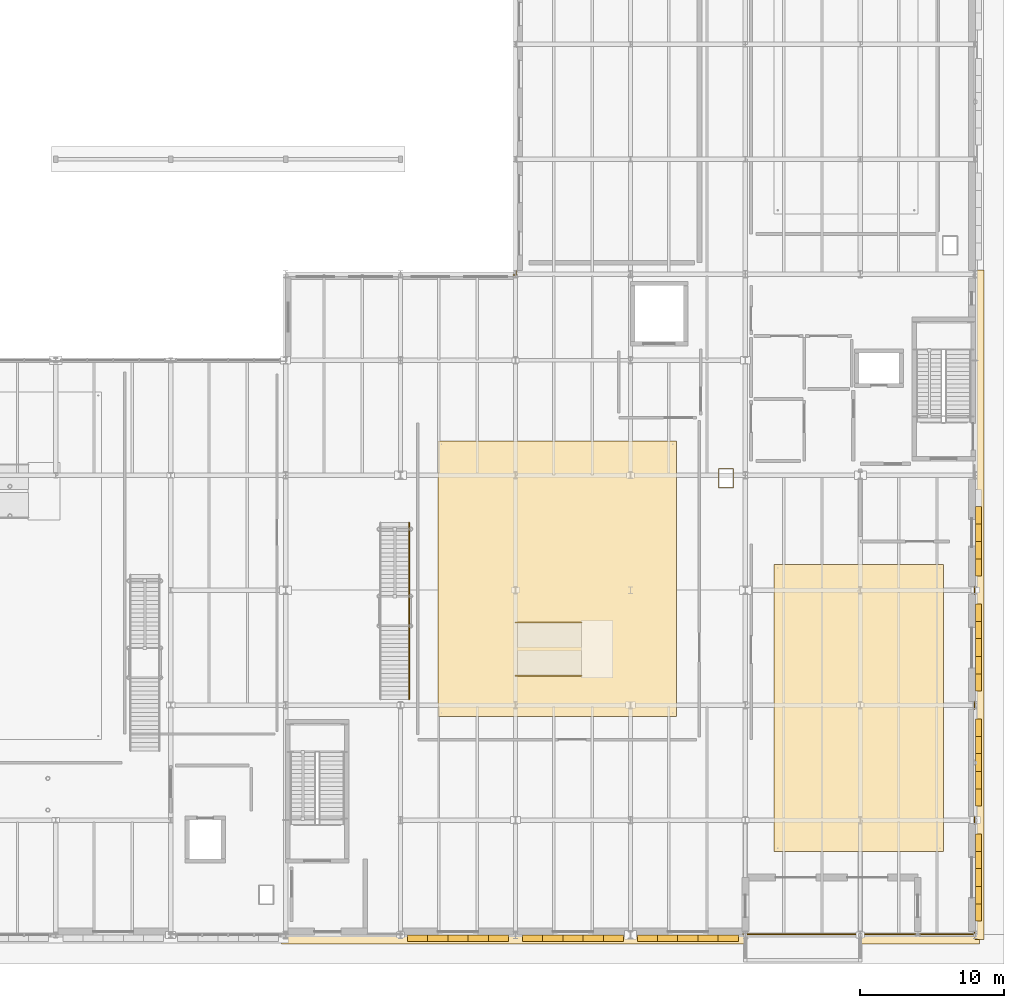
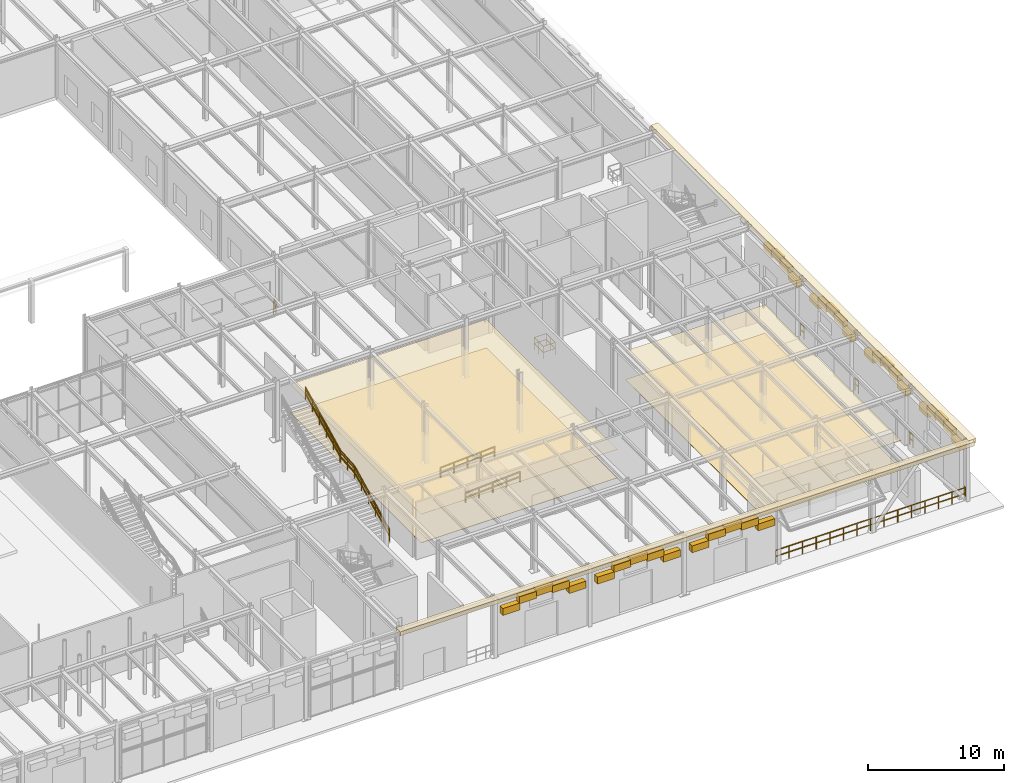
# One storey, part 122 of 129: 40 coverings, 10 railings.
"""IFC4 building model written with IfcOpenShell, lengths in metres."""

from ifc_helpers import new_model, si_unit, direction, frame, origin, origin_2d, place, context, subcontext, project, spatial, polyline, rectangle, circle, outline, extrude, material, layer, layer_set, type_object, element, save


model = new_model("IFC4")

# Units and contexts
model_context = context("Model", 3, precision=1e-05, world=origin(), true_north=direction((0.0, 1.0)))
body_context = subcontext(model_context, "Body", "Model", "MODEL_VIEW")
ifc_project = project(units=[si_unit("LENGTHUNIT", "METRE"), si_unit("AREAUNIT", "SQUARE_METRE"), si_unit("VOLUMEUNIT", "CUBIC_METRE"), si_unit("PLANEANGLEUNIT", "RADIAN"), si_unit("MASSUNIT", "GRAM", prefix="KILO")], contexts=[model_context])

# Site, building, storey
site_placement = place(None, origin())
site = spatial("IfcSite", under=ifc_project, at=site_placement, CompositionType="ELEMENT")
building_placement = place(site_placement, origin())
building = spatial("IfcBuilding", under=site, at=building_placement, Name="Sundkrona Museum", CompositionType="ELEMENT")
storey_placement = place(building_placement, origin())
storey = spatial("IfcBuildingStorey", under=building, at=storey_placement, Name="L00", CompositionType="ELEMENT", Elevation=0.0)

# Coverings
ifc_material_1 = material(Name="Perforated Acoustic Gypsum and Mineral Wool Ceiling", Category="other")
ifc_layer_1 = layer(ifc_material_1, 0.0400390625)
ifc_layer_set_1 = layer_set([ifc_layer_1], Name="Perforated Acoustic Gypsum and Mineral Wool Ceiling")
covering_type_1 = type_object("IfcCoveringType", Name="COV-CEIL-AC", PredefinedType="CEILING", material=ifc_layer_set_1)
covering_1_placement = place(storey_placement, frame((0.0, 0.0, 2.550048828125)))
element("IfcCovering", 1, at=covering_1_placement, inside=storey, type_object=covering_type_1, Name="L00 Natural History Gallery Acoustic Ceiling", PredefinedType="CEILING", context=body_context, shape_type="SweptSolid", body=[
    extrude(outline(polyline([(130.60009765625, 15.199951171875), (147.199951171875, 15.199951171875), (147.199951171875, 34.39990234375), (130.60009765625, 34.39990234375), (130.60009765625, 15.199951171875)])), origin(), (0.0, 0.0, 1.0), 0.0400390625),
])
covering_2_placement = place(storey_placement, frame((0.0, 0.0, 2.550048828125)))
element("IfcCovering", 2, at=covering_2_placement, inside=storey, type_object=covering_type_1, Name="L00 Earth Sciences Exhibition Hall Acoustic Ceiling", PredefinedType="CEILING", context=body_context, shape_type="SweptSolid", body=[
    extrude(outline(polyline([(154.0, 5.800048828125), (165.800048828125, 5.800048828125), (165.800048828125, 25.800048828125), (154.0, 25.800048828125), (154.0, 5.800048828125)])), origin(), (0.0, 0.0, 1.0), 0.0400390625),
])
ifc_material_2 = material(Name="Frost-Resistant Vitrified Stoneware Mosaic Cladding", Category="masonry")
ifc_layer_2 = layer(ifc_material_2, 0.044921875)
ifc_layer_set_2 = layer_set([ifc_layer_2], Name="Frost-Resistant Vitrified Stoneware Mosaic Cladding")
covering_type_2 = type_object("IfcCoveringType", Name="COV-CLD-MOS", PredefinedType="CLADDING", material=ifc_layer_set_2)
for number, where, z_axis, x_axis, name in (
    (3, (129.199951171875, -0.219970703125, 3.75390625), (0.0, 0.0, 1.0), (1.0, 0.0, 0.0), "Catalan Modernisme Parabolic Arch Voussoir SA-026"),
    (4, (130.60009765625, -0.219970703125, 4.305908203125), (0.0, 0.0, 1.0), (1.0, 0.0, 0.0), "Catalan Modernisme Parabolic Arch Voussoir SA-027"),
    (5, (132.0, -0.219970703125, 4.489990234375), (0.0, 0.0, 1.0), (1.0, 0.0, 0.0), "Catalan Modernisme Parabolic Arch Voussoir SA-028"),
    (6, (133.39990234375, -0.219970703125, 4.305908203125), (0.0, 0.0, 1.0), (1.0, 0.0, 0.0), "Catalan Modernisme Parabolic Arch Voussoir SA-029"),
    (7, (134.800048828125, -0.219970703125, 3.75390625), (0.0, 0.0, 1.0), (1.0, 0.0, 0.0), "Catalan Modernisme Parabolic Arch Voussoir SA-030"),
    (8, (137.199951171875, -0.219970703125, 3.75390625), (0.0, 0.0, 1.0), (1.0, 0.0, 0.0), "Catalan Modernisme Parabolic Arch Voussoir SA-031"),
    (9, (138.60009765625, -0.219970703125, 4.305908203125), (0.0, 0.0, 1.0), (1.0, 0.0, 0.0), "Catalan Modernisme Parabolic Arch Voussoir SA-032"),
    (10, (140.0, -0.219970703125, 4.489990234375), (0.0, 0.0, 1.0), (1.0, 0.0, 0.0), "Catalan Modernisme Parabolic Arch Voussoir SA-033"),
    (11, (141.39990234375, -0.219970703125, 4.305908203125), (0.0, 0.0, 1.0), (1.0, 0.0, 0.0), "Catalan Modernisme Parabolic Arch Voussoir SA-034"),
    (12, (142.800048828125, -0.219970703125, 3.75390625), (0.0, 0.0, 1.0), (1.0, 0.0, 0.0), "Catalan Modernisme Parabolic Arch Voussoir SA-035"),
    (13, (145.199951171875, -0.219970703125, 3.75390625), (0.0, 0.0, 1.0), (1.0, 0.0, 0.0), "Catalan Modernisme Parabolic Arch Voussoir SA-036"),
    (14, (146.60009765625, -0.219970703125, 4.305908203125), (0.0, 0.0, 1.0), (1.0, 0.0, 0.0), "Catalan Modernisme Parabolic Arch Voussoir SA-037"),
    (15, (148.0, -0.219970703125, 4.489990234375), (0.0, 0.0, 1.0), (1.0, 0.0, 0.0), "Catalan Modernisme Parabolic Arch Voussoir SA-038"),
    (16, (149.39990234375, -0.219970703125, 4.305908203125), (0.0, 0.0, 1.0), (1.0, 0.0, 0.0), "Catalan Modernisme Parabolic Arch Voussoir SA-039"),
    (17, (150.800048828125, -0.219970703125, 3.75390625), (0.0, 0.0, 1.0), (1.0, 0.0, 0.0), "Catalan Modernisme Parabolic Arch Voussoir SA-040"),
):
    element("IfcCovering", number, at=place(storey_placement, frame(where, z_axis=z_axis, x_axis=x_axis)), inside=storey, type_object=covering_type_2, Name=name, PredefinedType="CLADDING", context=body_context, shape_type="SweptSolid", body=[
        extrude(rectangle(XDim=1.419921875, YDim=0.4599609375, at=origin_2d()), origin(), (0.0, 0.0, 1.0), 0.6201171875),
    ])
covering_3_placement = place(storey_placement, frame((144.0, -0.300048828125, 5.10009765625), z_axis=(0.0, 0.0, 1.0), x_axis=(1.0, 0.0, 0.0)))
element("IfcCovering", 18, at=covering_3_placement, inside=storey, type_object=covering_type_2, Name="Classical Corbelled Terracotta Cornice (CRN-V1-S)", PredefinedType="CLADDING", context=body_context, shape_type="SweptSolid", body=[
    extrude(rectangle(XDim=48.60009765625, YDim=0.639892578125, at=origin_2d()), origin(), (0.0, 0.0, 1.0), 0.360107421875),
])
covering_4_placement = place(storey_placement, frame((168.300048828125, 23.0, 5.10009765625), z_axis=(0.0, 0.0, 1.0), x_axis=(1.0, 0.0, 0.0)))
element("IfcCovering", 19, at=covering_4_placement, inside=storey, type_object=covering_type_2, Name="Classical Corbelled Terracotta Cornice (CRN-V1-E)", PredefinedType="CLADDING", context=body_context, shape_type="SweptSolid", body=[
    extrude(rectangle(XDim=0.639892578125, YDim=46.60009765625, at=origin_2d()), origin(), (0.0, 0.0, 1.0), 0.360107421875),
])
for number, where, z_axis, x_axis, name in (
    (20, (168.219970703125, 1.60009765625, 3.8310546875), (0.0, 0.0, 1.0), (1.0, 0.0, 0.0), "Catalan Modernisme East Avenue Arch Voussoir 101"),
    (21, (168.219970703125, 2.800048828125, 4.295166015625), (0.0, 0.0, 1.0), (1.0, 0.0, 0.0), "Catalan Modernisme East Avenue Arch Voussoir 102"),
    (22, (168.219970703125, 4.0, 4.449951171875), (0.0, 0.0, 1.0), (1.0, 0.0, 0.0), "Catalan Modernisme East Avenue Arch Voussoir 103"),
    (23, (168.219970703125, 5.199951171875, 4.295166015625), (0.0, 0.0, 1.0), (1.0, 0.0, 0.0), "Catalan Modernisme East Avenue Arch Voussoir 104"),
    (24, (168.219970703125, 6.39990234375, 3.8310546875), (0.0, 0.0, 1.0), (1.0, 0.0, 0.0), "Catalan Modernisme East Avenue Arch Voussoir 105"),
    (25, (168.219970703125, 9.60009765625, 3.8310546875), (0.0, 0.0, 1.0), (1.0, 0.0, 0.0), "Catalan Modernisme East Avenue Arch Voussoir 106"),
    (26, (168.219970703125, 10.800048828125, 4.295166015625), (0.0, 0.0, 1.0), (1.0, 0.0, 0.0), "Catalan Modernisme East Avenue Arch Voussoir 107"),
    (27, (168.219970703125, 12.0, 4.449951171875), (0.0, 0.0, 1.0), (1.0, 0.0, 0.0), "Catalan Modernisme East Avenue Arch Voussoir 108"),
    (28, (168.219970703125, 13.199951171875, 4.295166015625), (0.0, 0.0, 1.0), (1.0, 0.0, 0.0), "Catalan Modernisme East Avenue Arch Voussoir 109"),
    (29, (168.219970703125, 14.39990234375, 3.8310546875), (0.0, 0.0, 1.0), (1.0, 0.0, 0.0), "Catalan Modernisme East Avenue Arch Voussoir 110"),
    (30, (168.219970703125, 17.60009765625, 3.8310546875), (0.0, 0.0, 1.0), (1.0, 0.0, 0.0), "Catalan Modernisme East Avenue Arch Voussoir 111"),
    (31, (168.219970703125, 18.800048828125, 4.295166015625), (0.0, 0.0, 1.0), (1.0, 0.0, 0.0), "Catalan Modernisme East Avenue Arch Voussoir 112"),
    (32, (168.219970703125, 20.0, 4.449951171875), (0.0, 0.0, 1.0), (1.0, 0.0, 0.0), "Catalan Modernisme East Avenue Arch Voussoir 113"),
    (33, (168.219970703125, 21.199951171875, 4.295166015625), (0.0, 0.0, 1.0), (1.0, 0.0, 0.0), "Catalan Modernisme East Avenue Arch Voussoir 114"),
    (34, (168.219970703125, 22.39990234375, 3.8310546875), (0.0, 0.0, 1.0), (1.0, 0.0, 0.0), "Catalan Modernisme East Avenue Arch Voussoir 115"),
    (35, (168.219970703125, 25.60009765625, 3.8310546875), (0.0, 0.0, 1.0), (1.0, 0.0, 0.0), "Catalan Modernisme East Avenue Arch Voussoir 116"),
    (36, (168.219970703125, 26.800048828125, 4.295166015625), (0.0, 0.0, 1.0), (1.0, 0.0, 0.0), "Catalan Modernisme East Avenue Arch Voussoir 117"),
    (37, (168.219970703125, 28.0, 4.449951171875), (0.0, 0.0, 1.0), (1.0, 0.0, 0.0), "Catalan Modernisme East Avenue Arch Voussoir 118"),
    (38, (168.219970703125, 29.199951171875, 4.295166015625), (0.0, 0.0, 1.0), (1.0, 0.0, 0.0), "Catalan Modernisme East Avenue Arch Voussoir 119"),
):
    element("IfcCovering", number, at=place(storey_placement, frame(where, z_axis=z_axis, x_axis=x_axis)), inside=storey, type_object=covering_type_2, Name=name, PredefinedType="CLADDING", context=body_context, shape_type="SweptSolid", body=[
        extrude(rectangle(XDim=0.43994140625, YDim=1.25, at=origin_2d()), origin(), (0.0, 0.0, 1.0), 0.60009765625),
    ])
ifc_material_3 = material(Name="Polished Scanian Limestone Terrazzo Flooring", Category="masonry")
ifc_layer_3 = layer(ifc_material_3, 0.034912109375)
ifc_layer_set_3 = layer_set([ifc_layer_3], Name="Polished Scanian Limestone Terrazzo Flooring")
covering_type_3 = type_object("IfcCoveringType", Name="COV-FLR-TZ", PredefinedType="FLOORING", material=ifc_layer_set_3)
covering_5_placement = place(storey_placement, origin())
element("IfcCovering", 39, at=covering_5_placement, inside=storey, type_object=covering_type_3, Name="L00 Natural History Gallery Terrazzo Flooring", PredefinedType="FLOORING", context=body_context, shape_type="SweptSolid", body=[
    extrude(outline(polyline([(130.60009765625, 15.199951171875), (147.199951171875, 15.199951171875), (147.199951171875, 34.39990234375), (130.60009765625, 34.39990234375), (130.60009765625, 15.199951171875)])), origin(), (0.0, 0.0, 1.0), 0.034912109375),
])
covering_6_placement = place(storey_placement, origin())
element("IfcCovering", 40, at=covering_6_placement, inside=storey, type_object=covering_type_3, Name="L00 Earth Sciences Exhibition Hall Terrazzo Flooring", PredefinedType="FLOORING", context=body_context, shape_type="SweptSolid", body=[
    extrude(outline(polyline([(154.0, 5.800048828125), (165.800048828125, 5.800048828125), (165.800048828125, 25.800048828125), (154.0, 25.800048828125), (154.0, 5.800048828125)])), origin(), (0.0, 0.0, 1.0), 0.034912109375),
])

# Railings
ifc_material_4 = material(Name="Painted Steel S355J2 and Laminated Glass Balustrade", Category="steel")
railing_type_1 = type_object("IfcRailingType", Name="RL-GUARD-1100", PredefinedType="BALUSTRADE", material=ifc_material_4)
railing_1_placement = place(storey_placement, frame((128.60009765625, 16.39990234375, 0.14990234375)))
element("IfcRailing", 41, at=railing_1_placement, inside=storey, type_object=railing_type_1, Name="FS-5 Feature Stair Balustrade R", PredefinedType="BALUSTRADE", context=body_context, shape_type="SweptSolid", body=[
    extrude(circle(Radius=0.02392578125, at=origin_2d()), frame((0.0, 0.0, 1.09619140625), z_axis=(0.0, 0.894427191, 0.4472135955), x_axis=(-1.0, 0.0, 0.0)), (0.0, 0.0, 1.0), 5.7021484375),
    extrude(circle(Radius=0.02392578125, at=origin_2d()), frame((0.0, 0.0, 0.56005859375), z_axis=(0.0, 0.894427191, 0.4472135955), x_axis=(-1.0, 0.0, 0.0)), (0.0, 0.0, 1.0), 5.7021484375),
    extrude(circle(Radius=0.02392578125, at=origin_2d()), frame((0.0, 5.10009765625, 3.64599609375), z_axis=(0.0, 0.997453988777, 0.071312974087), x_axis=(-1.0, 0.0, 0.0)), (0.0, 0.0, 1.0), 2.10546875),
    extrude(circle(Radius=0.02392578125, at=origin_2d()), frame((0.0, 5.10009765625, 3.110107421875), z_axis=(0.0, 0.997453988777, 0.071312974087), x_axis=(-1.0, 0.0, 0.0)), (0.0, 0.0, 1.0), 2.10546875),
    extrude(circle(Radius=0.02392578125, at=origin_2d()), frame((0.0, 7.2001953125, 3.79638671875), z_axis=(0.0, 0.894435754537, 0.447196468016), x_axis=(-1.0, 0.0, 0.0)), (0.0, 0.0, 1.0), 5.70166015625),
    extrude(circle(Radius=0.02392578125, at=origin_2d()), frame((0.0, 7.2001953125, 3.26025390625), z_axis=(0.0, 0.894435754537, 0.447196468016), x_axis=(-1.0, 0.0, 0.0)), (0.0, 0.0, 1.0), 5.70166015625),
    extrude(circle(Radius=0.02099609375, at=origin_2d()), origin(), (0.0, 0.0, 1.0), 1.072021484375),
    extrude(circle(Radius=0.02099609375, at=origin_2d()), frame((0.0, 1.02001953125, 0.510009765625)), (0.0, 0.0, 1.0), 1.072021484375),
    extrude(circle(Radius=0.02099609375, at=origin_2d()), frame((0.0, 2.0400390625, 1.02001953125)), (0.0, 0.0, 1.0), 1.072021484375),
    extrude(circle(Radius=0.02099609375, at=origin_2d()), frame((0.0, 3.06005859375, 1.530029296875)), (0.0, 0.0, 1.0), 1.072021484375),
    extrude(circle(Radius=0.02099609375, at=origin_2d()), frame((0.0, 4.080078125, 2.0400390625)), (0.0, 0.0, 1.0), 1.072021484375),
    extrude(circle(Radius=0.02099609375, at=origin_2d()), frame((0.0, 5.10009765625, 2.550048828125)), (0.0, 0.0, 1.0), 1.072021484375),
    extrude(circle(Radius=0.02099609375, at=origin_2d()), frame((0.0, 6.150146484375, 2.625)), (0.0, 0.0, 1.0), 1.072021484375),
    extrude(circle(Radius=0.02099609375, at=origin_2d()), frame((0.0, 7.2001953125, 2.7001953125)), (0.0, 0.0, 1.0), 1.072021484375),
    extrude(circle(Radius=0.02099609375, at=origin_2d()), frame((0.0, 8.22021484375, 3.210205078125)), (0.0, 0.0, 1.0), 1.072021484375),
    extrude(circle(Radius=0.02099609375, at=origin_2d()), frame((0.0, 9.240234375, 3.72021484375)), (0.0, 0.0, 1.0), 1.072021484375),
    extrude(circle(Radius=0.02099609375, at=origin_2d()), frame((0.0, 10.260009765625, 4.22998046875)), (0.0, 0.0, 1.0), 1.072021484375),
    extrude(circle(Radius=0.02099609375, at=origin_2d()), frame((0.0, 11.280029296875, 4.739990234375)), (0.0, 0.0, 1.0), 1.072021484375),
    extrude(circle(Radius=0.02099609375, at=origin_2d()), frame((0.0, 12.300048828125, 5.25)), (0.0, 0.0, 1.0), 1.072021484375),
])
railing_2_placement = place(storey_placement, frame((135.847900390625, 45.93994140625, 0.0)))
element("IfcRailing", 42, at=railing_2_placement, inside=storey, type_object=railing_type_1, Name="L00 Edge Protection Balustrade 031", PredefinedType="BALUSTRADE", context=body_context, shape_type="SweptSolid", body=[
    extrude(circle(Radius=0.02392578125, at=origin_2d()), frame((0.0, 0.0, 1.09619140625), z_axis=(1.0, 0.0, 0.0), x_axis=(0.0, 1.0, 0.0)), (0.0, 0.0, 1.0), 0.212158203125),
    extrude(circle(Radius=0.02392578125, at=origin_2d()), frame((0.0, 0.0, 0.56005859375), z_axis=(1.0, 0.0, 0.0), x_axis=(0.0, 1.0, 0.0)), (0.0, 0.0, 1.0), 0.212158203125),
    extrude(circle(Radius=0.02392578125, at=origin_2d()), frame((0.212158203125, 0.0, 1.09619140625), z_axis=(0.0, 1.0, 0.0), x_axis=(-1.0, 0.0, 0.0)), (0.0, 0.0, 1.0), 0.31201171875),
    extrude(circle(Radius=0.02392578125, at=origin_2d()), frame((0.212158203125, 0.0, 0.56005859375), z_axis=(0.0, 1.0, 0.0), x_axis=(-1.0, 0.0, 0.0)), (0.0, 0.0, 1.0), 0.31201171875),
    extrude(circle(Radius=0.02099609375, at=origin_2d()), origin(), (0.0, 0.0, 1.0), 1.072021484375),
    extrude(circle(Radius=0.02099609375, at=origin_2d()), frame((0.212158203125, 0.0, 0.0)), (0.0, 0.0, 1.0), 1.072021484375),
    extrude(circle(Radius=0.02099609375, at=origin_2d()), frame((0.212158203125, 0.31201171875, 0.0)), (0.0, 0.0, 1.0), 1.072021484375),
])
railing_3_placement = place(storey_placement, frame((150.139892578125, 31.139892578125, 0.0)))
element("IfcRailing", 43, at=railing_3_placement, inside=storey, type_object=railing_type_1, Name="L00 Edge Protection Balustrade 039", PredefinedType="BALUSTRADE", context=body_context, shape_type="SweptSolid", body=[
    extrude(circle(Radius=0.02392578125, at=origin_2d()), frame((0.0, 0.0, 1.09619140625), z_axis=(1.0, 0.0, 0.0), x_axis=(0.0, 1.0, 0.0)), (0.0, 0.0, 1.0), 1.02001953125),
    extrude(circle(Radius=0.02392578125, at=origin_2d()), frame((0.0, 0.0, 0.56005859375), z_axis=(1.0, 0.0, 0.0), x_axis=(0.0, 1.0, 0.0)), (0.0, 0.0, 1.0), 1.02001953125),
    extrude(circle(Radius=0.02392578125, at=origin_2d()), frame((1.02001953125, 0.0, 1.09619140625), z_axis=(0.0, 1.0, 0.0), x_axis=(-1.0, 0.0, 0.0)), (0.0, 0.0, 1.0), 1.320068359375),
    extrude(circle(Radius=0.02392578125, at=origin_2d()), frame((1.02001953125, 0.0, 0.56005859375), z_axis=(0.0, 1.0, 0.0), x_axis=(-1.0, 0.0, 0.0)), (0.0, 0.0, 1.0), 1.320068359375),
    extrude(circle(Radius=0.02392578125, at=origin_2d()), frame((1.02001953125, 1.320068359375, 1.09619140625), z_axis=(-1.0, 0.0, 0.0), x_axis=(0.0, -1.0, 0.0)), (0.0, 0.0, 1.0), 1.02001953125),
    extrude(circle(Radius=0.02392578125, at=origin_2d()), frame((1.02001953125, 1.320068359375, 0.56005859375), z_axis=(-1.0, 0.0, 0.0), x_axis=(0.0, -1.0, 0.0)), (0.0, 0.0, 1.0), 1.02001953125),
    extrude(circle(Radius=0.02392578125, at=origin_2d()), frame((0.0, 1.320068359375, 1.09619140625), z_axis=(0.0, -1.0, 0.0), x_axis=(1.0, 0.0, 0.0)), (0.0, 0.0, 1.0), 1.320068359375),
    extrude(circle(Radius=0.02392578125, at=origin_2d()), frame((0.0, 1.320068359375, 0.56005859375), z_axis=(0.0, -1.0, 0.0), x_axis=(1.0, 0.0, 0.0)), (0.0, 0.0, 1.0), 1.320068359375),
    extrude(circle(Radius=0.02099609375, at=origin_2d()), origin(), (0.0, 0.0, 1.0), 1.072021484375),
    extrude(circle(Radius=0.02099609375, at=origin_2d()), frame((1.02001953125, 0.0, 0.0)), (0.0, 0.0, 1.0), 1.072021484375),
    extrude(circle(Radius=0.02099609375, at=origin_2d()), frame((1.02001953125, 0.66015625, 0.0)), (0.0, 0.0, 1.0), 1.072021484375),
    extrude(circle(Radius=0.02099609375, at=origin_2d()), frame((1.02001953125, 1.320068359375, 0.0)), (0.0, 0.0, 1.0), 1.072021484375),
    extrude(circle(Radius=0.02099609375, at=origin_2d()), frame((0.0, 1.320068359375, 0.0)), (0.0, 0.0, 1.0), 1.072021484375),
    extrude(circle(Radius=0.02099609375, at=origin_2d()), frame((0.0, 0.66015625, 0.0)), (0.0, 0.0, 1.0), 1.072021484375),
])
railing_4_placement = place(storey_placement, frame((167.93994140625, 0.251953125, 0.0)))
element("IfcRailing", 44, at=railing_4_placement, inside=storey, type_object=railing_type_1, Name="L00 Edge Protection Balustrade 040", PredefinedType="BALUSTRADE", context=body_context, shape_type="SweptSolid", body=[
    extrude(circle(Radius=0.02392578125, at=origin_2d()), frame((0.0, 0.0, 1.09619140625), z_axis=(0.0, -1.0, 0.0), x_axis=(1.0, 0.0, 0.0)), (0.0, 0.0, 1.0), 0.19189453125),
    extrude(circle(Radius=0.02392578125, at=origin_2d()), frame((0.0, 0.0, 0.56005859375), z_axis=(0.0, -1.0, 0.0), x_axis=(1.0, 0.0, 0.0)), (0.0, 0.0, 1.0), 0.19189453125),
    extrude(circle(Radius=0.02392578125, at=origin_2d()), frame((0.0, -0.19189453125, 1.09619140625), z_axis=(-1.0, 0.0, 0.0), x_axis=(0.0, -1.0, 0.0)), (0.0, 0.0, 1.0), 16.092041015625),
    extrude(circle(Radius=0.02392578125, at=origin_2d()), frame((0.0, -0.19189453125, 0.56005859375), z_axis=(-1.0, 0.0, 0.0), x_axis=(0.0, -1.0, 0.0)), (0.0, 0.0, 1.0), 16.092041015625),
    extrude(circle(Radius=0.02099609375, at=origin_2d()), origin(), (0.0, 0.0, 1.0), 1.072021484375),
    extrude(circle(Radius=0.02099609375, at=origin_2d()), frame((0.0, -0.19189453125, 0.0)), (0.0, 0.0, 1.0), 1.072021484375),
    extrude(circle(Radius=0.02099609375, at=origin_2d()), frame((-1.1494140625, -0.19189453125, 0.0)), (0.0, 0.0, 1.0), 1.072021484375),
    extrude(circle(Radius=0.02099609375, at=origin_2d()), frame((-2.298828125, -0.19189453125, 0.0)), (0.0, 0.0, 1.0), 1.072021484375),
    extrude(circle(Radius=0.02099609375, at=origin_2d()), frame((-3.4482421875, -0.19189453125, 0.0)), (0.0, 0.0, 1.0), 1.072021484375),
    extrude(circle(Radius=0.02099609375, at=origin_2d()), frame((-4.59765625, -0.19189453125, 0.0)), (0.0, 0.0, 1.0), 1.072021484375),
    extrude(circle(Radius=0.02099609375, at=origin_2d()), frame((-5.7470703125, -0.19189453125, 0.0)), (0.0, 0.0, 1.0), 1.072021484375),
    extrude(circle(Radius=0.02099609375, at=origin_2d()), frame((-6.896484375, -0.19189453125, 0.0)), (0.0, 0.0, 1.0), 1.072021484375),
    extrude(circle(Radius=0.02099609375, at=origin_2d()), frame((-8.0458984375, -0.19189453125, 0.0)), (0.0, 0.0, 1.0), 1.072021484375),
    extrude(circle(Radius=0.02099609375, at=origin_2d()), frame((-9.195556640625, -0.19189453125, 0.0)), (0.0, 0.0, 1.0), 1.072021484375),
    extrude(circle(Radius=0.02099609375, at=origin_2d()), frame((-10.344970703125, -0.19189453125, 0.0)), (0.0, 0.0, 1.0), 1.072021484375),
    extrude(circle(Radius=0.02099609375, at=origin_2d()), frame((-11.494384765625, -0.19189453125, 0.0)), (0.0, 0.0, 1.0), 1.072021484375),
    extrude(circle(Radius=0.02099609375, at=origin_2d()), frame((-12.643798828125, -0.19189453125, 0.0)), (0.0, 0.0, 1.0), 1.072021484375),
    extrude(circle(Radius=0.02099609375, at=origin_2d()), frame((-13.793212890625, -0.19189453125, 0.0)), (0.0, 0.0, 1.0), 1.072021484375),
    extrude(circle(Radius=0.02099609375, at=origin_2d()), frame((-14.942626953125, -0.19189453125, 0.0)), (0.0, 0.0, 1.0), 1.072021484375),
    extrude(circle(Radius=0.02099609375, at=origin_2d()), frame((-16.092041015625, -0.19189453125, 0.0)), (0.0, 0.0, 1.0), 1.072021484375),
])
for number, where, name in (
    (45, (167.93994140625, 8.251953125, 0.0), "L00 Edge Protection Balustrade 044"),
    (46, (167.93994140625, 16.251953125, 0.0), "L00 Edge Protection Balustrade 045"),
    (47, (167.93994140625, 24.251953125, 0.0), "L00 Edge Protection Balustrade 046"),
):
    element("IfcRailing", number, at=place(storey_placement, frame(where)), inside=storey, type_object=railing_type_1, Name=name, PredefinedType="BALUSTRADE", context=body_context, shape_type="SweptSolid", body=[
        extrude(circle(Radius=0.02392578125, at=origin_2d()), frame((0.0, 0.0, 1.09619140625), z_axis=(0.0, -1.0, 0.0), x_axis=(1.0, 0.0, 0.0)), (0.0, 0.0, 1.0), 0.50390625),
        extrude(circle(Radius=0.02392578125, at=origin_2d()), frame((0.0, 0.0, 0.56005859375), z_axis=(0.0, -1.0, 0.0), x_axis=(1.0, 0.0, 0.0)), (0.0, 0.0, 1.0), 0.50390625),
        extrude(circle(Radius=0.02099609375, at=origin_2d()), origin(), (0.0, 0.0, 1.0), 1.072021484375),
        extrude(circle(Radius=0.02099609375, at=origin_2d()), frame((0.0, -0.50390625, 0.0)), (0.0, 0.0, 1.0), 1.072021484375),
    ])
ifc_material_5 = material(Name="Brushed Bronze-Clad Steel Handrail", Category="steel")
railing_type_2 = type_object("IfcRailingType", Name="RL-HAND-900", PredefinedType="HANDRAIL", material=ifc_material_5)
railing_5_placement = place(storey_placement, frame((128.60009765625, 16.39990234375, 0.14990234375)))
element("IfcRailing", 48, at=railing_5_placement, inside=storey, type_object=railing_type_2, Name="FS-5 Feature Stair Handrail R", PredefinedType="HANDRAIL", context=body_context, shape_type="SweptSolid", body=[
    extrude(circle(Radius=0.02392578125, at=origin_2d()), frame((0.0, 0.0, 0.8759765625), z_axis=(0.0, 0.894427191, 0.4472135955), x_axis=(-1.0, 0.0, 0.0)), (0.0, 0.0, 1.0), 5.7021484375),
    extrude(circle(Radius=0.02392578125, at=origin_2d()), frame((0.0, 0.0, 0.449951171875), z_axis=(0.0, 0.894427191, 0.4472135955), x_axis=(-1.0, 0.0, 0.0)), (0.0, 0.0, 1.0), 5.7021484375),
    extrude(circle(Radius=0.02392578125, at=origin_2d()), frame((0.0, 5.10009765625, 3.42578125), z_axis=(0.0, 0.997453988777, 0.071312974087), x_axis=(-1.0, 0.0, 0.0)), (0.0, 0.0, 1.0), 2.10546875),
    extrude(circle(Radius=0.02392578125, at=origin_2d()), frame((0.0, 5.10009765625, 3.0), z_axis=(0.0, 0.997453988777, 0.071312974087), x_axis=(-1.0, 0.0, 0.0)), (0.0, 0.0, 1.0), 2.10546875),
    extrude(circle(Radius=0.02392578125, at=origin_2d()), frame((0.0, 7.2001953125, 3.576171875), z_axis=(0.0, 0.894435754537, 0.447196468016), x_axis=(-1.0, 0.0, 0.0)), (0.0, 0.0, 1.0), 5.70166015625),
    extrude(circle(Radius=0.02392578125, at=origin_2d()), frame((0.0, 7.2001953125, 3.150146484375), z_axis=(0.0, 0.894435754537, 0.447196468016), x_axis=(-1.0, 0.0, 0.0)), (0.0, 0.0, 1.0), 5.70166015625),
    extrude(circle(Radius=0.02099609375, at=origin_2d()), origin(), (0.0, 0.0, 1.0), 0.851806640625),
    extrude(circle(Radius=0.02099609375, at=origin_2d()), frame((0.0, 1.02001953125, 0.510009765625)), (0.0, 0.0, 1.0), 0.851806640625),
    extrude(circle(Radius=0.02099609375, at=origin_2d()), frame((0.0, 2.0400390625, 1.02001953125)), (0.0, 0.0, 1.0), 0.851806640625),
    extrude(circle(Radius=0.02099609375, at=origin_2d()), frame((0.0, 3.06005859375, 1.530029296875)), (0.0, 0.0, 1.0), 0.851806640625),
    extrude(circle(Radius=0.02099609375, at=origin_2d()), frame((0.0, 4.080078125, 2.0400390625)), (0.0, 0.0, 1.0), 0.851806640625),
    extrude(circle(Radius=0.02099609375, at=origin_2d()), frame((0.0, 5.10009765625, 2.550048828125)), (0.0, 0.0, 1.0), 0.851806640625),
    extrude(circle(Radius=0.02099609375, at=origin_2d()), frame((0.0, 6.150146484375, 2.625)), (0.0, 0.0, 1.0), 0.851806640625),
    extrude(circle(Radius=0.02099609375, at=origin_2d()), frame((0.0, 7.2001953125, 2.7001953125)), (0.0, 0.0, 1.0), 0.851806640625),
    extrude(circle(Radius=0.02099609375, at=origin_2d()), frame((0.0, 8.22021484375, 3.210205078125)), (0.0, 0.0, 1.0), 0.851806640625),
    extrude(circle(Radius=0.02099609375, at=origin_2d()), frame((0.0, 9.240234375, 3.72021484375)), (0.0, 0.0, 1.0), 0.851806640625),
    extrude(circle(Radius=0.02099609375, at=origin_2d()), frame((0.0, 10.260009765625, 4.22998046875)), (0.0, 0.0, 1.0), 0.851806640625),
    extrude(circle(Radius=0.02099609375, at=origin_2d()), frame((0.0, 11.280029296875, 4.739990234375)), (0.0, 0.0, 1.0), 0.851806640625),
    extrude(circle(Radius=0.02099609375, at=origin_2d()), frame((0.0, 12.300048828125, 5.25)), (0.0, 0.0, 1.0), 0.851806640625),
])
railing_6_placement = place(storey_placement, frame((136.0, 18.050048828125, 0.0)))
element("IfcRailing", 49, at=railing_6_placement, inside=storey, type_object=railing_type_2, Name="RMP-02 Handrail South", PredefinedType="HANDRAIL", context=body_context, shape_type="SweptSolid", body=[
    extrude(circle(Radius=0.02392578125, at=origin_2d()), frame((0.0, 0.0, 0.8759765625), z_axis=(0.998152272785, 0.0, 0.060762162025), x_axis=(0.0, 1.0, 0.0)), (0.0, 0.0, 1.0), 4.608642578125),
    extrude(circle(Radius=0.02392578125, at=origin_2d()), frame((0.0, 0.0, 0.449951171875), z_axis=(0.998152272785, 0.0, 0.060762162025), x_axis=(0.0, 1.0, 0.0)), (0.0, 0.0, 1.0), 4.608642578125),
    extrude(circle(Radius=0.02099609375, at=origin_2d()), origin(), (0.0, 0.0, 1.0), 0.851806640625),
    extrude(circle(Radius=0.02099609375, at=origin_2d()), frame((1.14990234375, 0.0, 0.070068359375)), (0.0, 0.0, 1.0), 0.851806640625),
    extrude(circle(Radius=0.02099609375, at=origin_2d()), frame((2.300048828125, 0.0, 0.14013671875)), (0.0, 0.0, 1.0), 0.851806640625),
    extrude(circle(Radius=0.02099609375, at=origin_2d()), frame((3.4501953125, 0.0, 0.2099609375)), (0.0, 0.0, 1.0), 0.851806640625),
    extrude(circle(Radius=0.02099609375, at=origin_2d()), frame((4.60009765625, 0.0, 0.280029296875)), (0.0, 0.0, 1.0), 0.851806640625),
])
railing_7_placement = place(storey_placement, frame((140.60009765625, 21.75, 0.280029296875)))
element("IfcRailing", 50, at=railing_7_placement, inside=storey, type_object=railing_type_2, Name="RMP-02 Handrail North", PredefinedType="HANDRAIL", context=body_context, shape_type="SweptSolid", body=[
    extrude(circle(Radius=0.02392578125, at=origin_2d()), frame((0.0, 0.0, 0.8759765625), z_axis=(-0.998152272785, 0.0, -0.060762162025), x_axis=(0.0, -1.0, 0.0)), (0.0, 0.0, 1.0), 4.608642578125),
    extrude(circle(Radius=0.02392578125, at=origin_2d()), frame((0.0, 0.0, 0.449951171875), z_axis=(-0.998152272785, 0.0, -0.060762162025), x_axis=(0.0, -1.0, 0.0)), (0.0, 0.0, 1.0), 4.608642578125),
    extrude(circle(Radius=0.02099609375, at=origin_2d()), origin(), (0.0, 0.0, 1.0), 0.851806640625),
    extrude(circle(Radius=0.02099609375, at=origin_2d()), frame((-1.14990234375, 0.0, -0.070068359375)), (0.0, 0.0, 1.0), 0.851806640625),
    extrude(circle(Radius=0.02099609375, at=origin_2d()), frame((-2.300048828125, 0.0, -0.14013671875)), (0.0, 0.0, 1.0), 0.851806640625),
    extrude(circle(Radius=0.02099609375, at=origin_2d()), frame((-3.4501953125, 0.0, -0.2099609375)), (0.0, 0.0, 1.0), 0.851806640625),
    extrude(circle(Radius=0.02099609375, at=origin_2d()), frame((-4.60009765625, 0.0, -0.280029296875)), (0.0, 0.0, 1.0), 0.851806640625),
])

save(model, "model.ifc")
